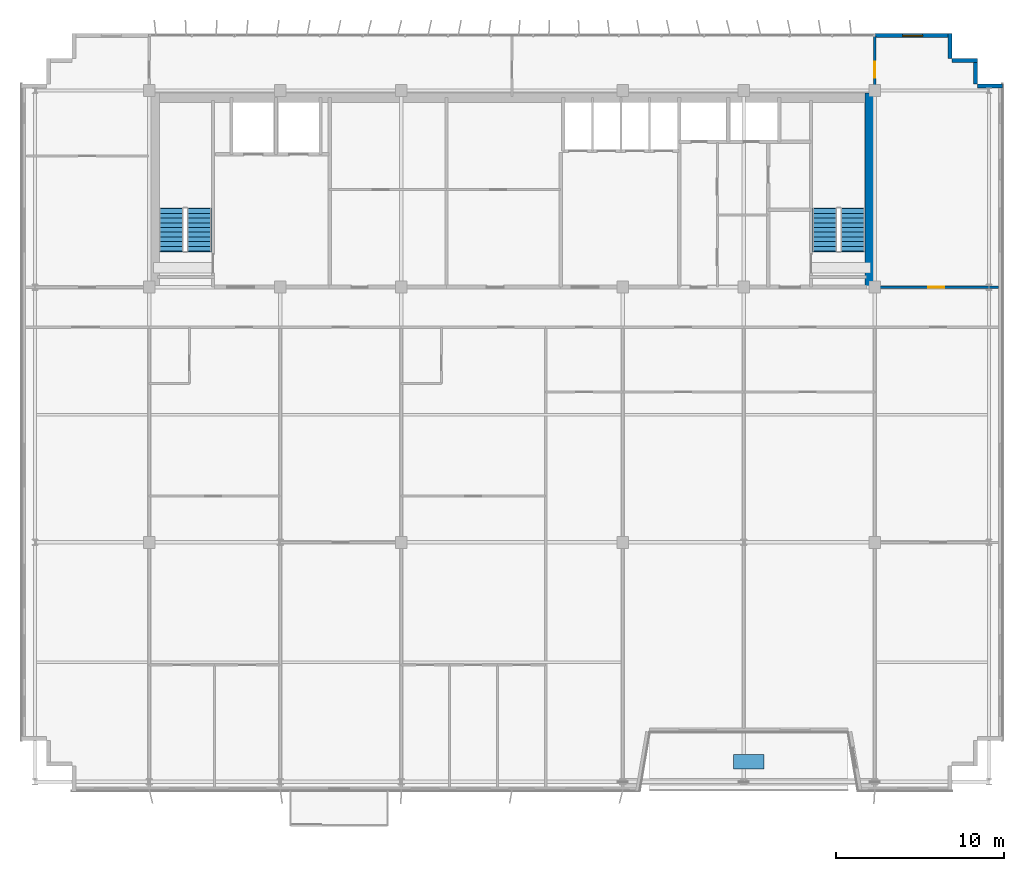
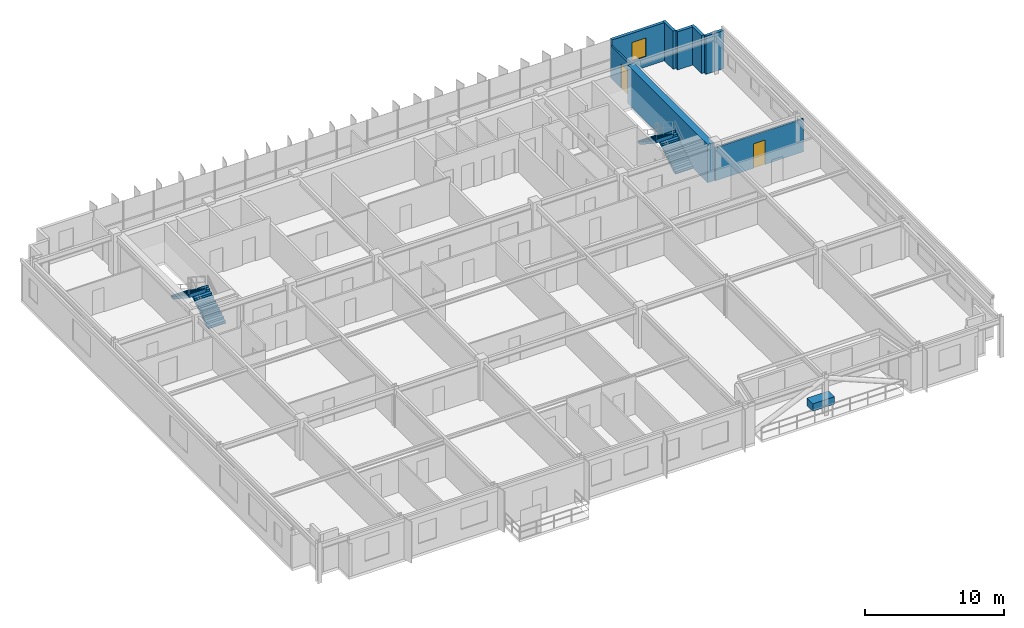
# One storey, part 21 of 23: 8 walls, 4 stair flights, 2 doors, 1 discrete accessory, 1 window, 3 openings, 2 elements without a shape of their own.
"""IFC4 building model written with IfcOpenShell, lengths in metres."""

from ifc_helpers import new_model, si_unit, direction, frame, frame_2d, origin, origin_2d, place, context, subcontext, project, spatial, polyline, rectangle, outline, extrude, source, transform, mapped, material, layer, layer_set, type_object, element, fill, aggregate, save


model = new_model("IFC4")

# Units and contexts
model_context = context("Model", 3, precision=1e-05, world=origin(), true_north=direction((0.0, 1.0)))
body_context = subcontext(model_context, "Body", "Model", "MODEL_VIEW")
ifc_project = project(units=[si_unit("LENGTHUNIT", "METRE"), si_unit("AREAUNIT", "SQUARE_METRE"), si_unit("VOLUMEUNIT", "CUBIC_METRE"), si_unit("PLANEANGLEUNIT", "RADIAN"), si_unit("MASSUNIT", "GRAM", prefix="KILO")], contexts=[model_context])

# Site, building, storey
site_placement = place(None, origin())
site = spatial("IfcSite", under=ifc_project, at=site_placement, CompositionType="ELEMENT")
building_placement = place(site_placement, origin())
building = spatial("IfcBuilding", under=site, at=building_placement, Name="Trelvane Seafront Commons", CompositionType="ELEMENT")
storey_placement = place(building_placement, frame((0.0, 0.0, 230.10009765625)))
storey = spatial("IfcBuildingStorey", under=building, at=storey_placement, Name="L60", CompositionType="ELEMENT", Elevation=230.10009765625)

# Wall, opening, window
ifc_material_1 = material(Name="Precast concrete C40/50", Category="concrete")
ifc_layer_1 = layer(ifc_material_1, 0.239990234375, Name="ARCH-WALL-EXT240")
ifc_layer_set_1 = layer_set([ifc_layer_1], Name="Precast concrete C40/50")
wall_type_1 = type_object("IfcWallType", Name="ARCH-WALL-EXT240", PredefinedType="SOLIDWALL", material=ifc_layer_set_1)
wall_1_placement = place(storey_placement, frame((58.800048828125, 48.3701171875, 0.0), z_axis=(0.0, 0.0, 1.0), x_axis=(1.0, 0.0, 0.0)))
wall_1 = element("IfcWall", 1, at=wall_1_placement, inside=storey, type_object=wall_type_1, Name="EW-L60-NE-1205", PredefinedType="SOLIDWALL", context=body_context, shape_type="SweptSolid", body=[
    extrude(rectangle(XDim=4.5, YDim=0.239990234375, at=frame_2d((2.25, 0.0))), origin(), (0.0, 0.0, 1.0), 3.35986328125),
])
opening_1_placement = place(wall_1_placement, frame((1.64990234375, 0.0, 0.89990234375)))
opening_1 = element("IfcOpeningElement", 2, at=opening_1_placement, cuts=wall_1, Name="Opening W05", PredefinedType="OPENING", context=body_context, shape_type="SweptSolid", body=[
    extrude(rectangle(XDim=1.199951171875, YDim=1.64990234375, at=frame_2d((0.60009765625, 0.824951171875))), frame((0.0, 0.1298828125, 0.0), z_axis=(0.0, -1.0, 0.0), x_axis=(1.0, 0.0, 0.0)), (0.0, 0.0, 1.0), 0.260009765625),
])
ifc_material_2 = material(Name="Low-E coastal double glazing", Category="glass")
window_type = type_object("IfcWindowType", Name="ARCH-WIN-W05", PartitioningType="SINGLE_PANEL", PredefinedType="WINDOW", material=ifc_material_2)
shared_shape_1 = source(origin(), body_context, "Body", "SweptSolid", [
    extrude(rectangle(XDim=1.199951171875, YDim=1.64990234375, at=frame_2d((0.60009765625, 0.824951171875))), frame((0.0, 0.030029296875, 0.0), z_axis=(0.0, -1.0, 0.0), x_axis=(1.0, 0.0, 0.0)), (0.0, 0.0, 1.0), 0.06005859375),
])
window_placement = place(opening_1_placement, origin())
window = element("IfcWindow", 3, at=window_placement, inside=storey, type_object=window_type, Name="WIN-L60-01464", OverallHeight=1.64990234375, OverallWidth=1.199951171875, PartitioningType="SINGLE_PANEL", PredefinedType="WINDOW", context=body_context, shape_type="MappedRepresentation", body=[
    mapped(shared_shape_1, transform((0.0, 0.0, 0.0), x_axis=(1.0, 0.0, 0.0), y_axis=(0.0, 1.0, 0.0), z_axis=(0.0, 0.0, 1.0), scale=1.0)),
])
fill(opening_1, window)

# Walls
for number, where, z_axis, x_axis, name in (
    (4, (63.280029296875, 48.5, 0.0), (0.0, 0.0, 1.0), (0.0, -1.0, 0.0), "EW-L60-01214"),
    (5, (63.39990234375, 46.8798828125, 0.0), (0.0, 0.0, 1.0), (1.0, 0.0, 0.0), "EW-L60-01215"),
    (6, (64.780029296875, 47.0, 0.0), (0.0, 0.0, 1.0), (0.0, -1.0, 0.0), "EW-L60-01216"),
    (7, (64.89990234375, 45.3798828125, 0.0), (0.0, 0.0, 1.0), (1.0, 0.0, 0.0), "EW-L60-01217"),
):
    element("IfcWall", number, at=place(storey_placement, frame(where, z_axis=z_axis, x_axis=x_axis)), inside=storey, type_object=wall_type_1, Name=name, PredefinedType="SOLIDWALL", context=body_context, shape_type="SweptSolid", body=[
        extrude(rectangle(XDim=1.5, YDim=0.239990234375, at=frame_2d((0.75, 0.0))), origin(), (0.0, 0.0, 1.0), 3.35986328125),
    ])

# Wall, opening, door
ifc_material_3 = material(Name="Gypsum Drywall Acoustic Partition")
ifc_layer_2 = layer(ifc_material_3, 0.14990234375, Name="ARCH-WALL-PART150")
ifc_layer_set_2 = layer_set([ifc_layer_2], Name="Gypsum Drywall Acoustic Partition")
wall_type_2 = type_object("IfcWallType", Name="ARCH-WALL-PART150", PredefinedType="PARTITIONING", material=ifc_layer_set_2)
wall_2_placement = place(storey_placement, frame((58.800048828125, 33.39990234375, 0.0), z_axis=(0.0, 0.0, 1.0), x_axis=(1.0, 0.0, 0.0)))
wall_2 = element("IfcWall", 8, at=wall_2_placement, inside=storey, type_object=wall_type_2, Name="W-L60-NE-ENT-037", PredefinedType="PARTITIONING", context=body_context, shape_type="SweptSolid", body=[
    extrude(rectangle(XDim=7.349853515625, YDim=0.14990234375, at=frame_2d((3.6748046875, 0.0))), origin(), (0.0, 0.0, 1.0), 2.909912109375),
])
opening_2_placement = place(wall_2_placement, frame((3.19189453125, 0.0, 0.0)))
opening_2 = element("IfcOpeningElement", 9, at=opening_2_placement, cuts=wall_2, Name="Opening FD-L60-24", PredefinedType="OPENING", context=body_context, shape_type="SweptSolid", body=[
    extrude(rectangle(XDim=0.949951171875, YDim=2.14990234375, at=frame_2d((0.47509765625, 1.074951171875))), frame((0.0, 0.0849609375, 0.0), z_axis=(0.0, -1.0, 0.0), x_axis=(1.0, 0.0, 0.0)), (0.0, 0.0, 1.0), 0.169921875),
])
ifc_material_4 = material(Name="Powder-coated aluminium frame", Category="aluminium")
door_type = type_object("IfcDoorType", Name="ARCH-DR-FD60-950", OperationType="NOTDEFINED", PredefinedType="DOOR", material=ifc_material_4)
shared_shape_2 = source(origin(), body_context, "Body", "SweptSolid", [
    extrude(rectangle(XDim=0.949951171875, YDim=2.14990234375, at=frame_2d((0.47509765625, 1.074951171875))), frame((0.0, 0.02490234375, 0.0), z_axis=(0.0, -1.0, 0.0), x_axis=(1.0, 0.0, 0.0)), (0.0, 0.0, 1.0), 0.050048828125),
])
door_1_placement = place(opening_2_placement, origin())
door_1 = element("IfcDoor", 10, at=door_1_placement, inside=storey, type_object=door_type, Name="L60 NE Suite Entrance Door", OperationType="SINGLE_SWING_RIGHT", OverallHeight=2.14990234375, OverallWidth=0.949951171875, PredefinedType="DOOR", context=body_context, shape_type="MappedRepresentation", body=[
    mapped(shared_shape_2, transform((0.0, 0.0, 0.0), x_axis=(1.0, 0.0, 0.0), y_axis=(0.0, 1.0, 0.0), z_axis=(0.0, 0.0, 1.0), scale=1.0)),
])
fill(opening_2, door_1)

wall_3_placement = place(storey_placement, frame((58.800048828125, 44.75, 0.0), z_axis=(0.0, 0.0, 1.0), x_axis=(0.0, 1.0, 0.0)))
wall_3 = element("IfcWall", 11, at=wall_3_placement, inside=storey, type_object=wall_type_2, Name="W-L60-N-LINK-E-040", PredefinedType="PARTITIONING", context=body_context, shape_type="SweptSolid", body=[
    extrude(rectangle(XDim=3.610107421875, YDim=0.14990234375, at=frame_2d((1.80517578125, 0.0))), origin(), (0.0, 0.0, 1.0), 2.85986328125),
])
opening_3_placement = place(wall_3_placement, frame((1.10009765625, 0.0, 0.0)))
opening_3 = element("IfcOpeningElement", 12, at=opening_3_placement, cuts=wall_3, Name="Opening FD-L60-27", PredefinedType="OPENING", context=body_context, shape_type="SweptSolid", body=[
    extrude(rectangle(XDim=0.949951171875, YDim=2.14990234375, at=frame_2d((0.47509765625, 1.074951171875))), frame((0.0, 0.0849609375, 0.0), z_axis=(0.0, -1.0, 0.0), x_axis=(1.0, 0.0, 0.0)), (0.0, 0.0, 1.0), 0.169921875),
])
door_2_placement = place(opening_3_placement, origin())
door_2 = element("IfcDoor", 13, at=door_2_placement, inside=storey, type_object=door_type, Name="L60 Door 27", OperationType="SINGLE_SWING_LEFT", OverallHeight=2.14990234375, OverallWidth=0.949951171875, PredefinedType="DOOR", context=body_context, shape_type="MappedRepresentation", body=[
    mapped(shared_shape_2, transform((0.0, 0.0, 0.0), x_axis=(1.0, 0.0, 0.0), y_axis=(0.0, 1.0, 0.0), z_axis=(0.0, 0.0, 1.0), scale=1.0)),
])
fill(opening_3, door_2)

# Wall
ifc_material_5 = material(Name="Concrete C50/60", Category="concrete")
ifc_layer_3 = layer(ifc_material_5, 0.550048828125, Name="STR-WALL-CORE550")
ifc_layer_set_3 = layer_set([ifc_layer_3], Name="Concrete C50/60")
wall_type_3 = type_object("IfcWallType", Name="STR-WALL-CORE550", PredefinedType="SHEAR", material=ifc_layer_set_3)
wall_4_placement = place(storey_placement, frame((58.47509765625, 33.39990234375, 0.0), z_axis=(0.0, 0.0, 1.0), x_axis=(0.0, 1.0, 0.0)))
element("IfcWall", 14, at=wall_4_placement, inside=storey, type_object=wall_type_3, Name="W-L60-CE-END-003", PredefinedType="SHEAR", context=body_context, shape_type="SweptSolid", body=[
    extrude(rectangle(XDim=11.550048828125, YDim=0.550048828125, at=frame_2d((5.77490234375, 0.0))), origin(), (0.0, 0.0, 1.0), 3.35986328125),
])

# Stair, stair flights
ifc_material_6 = material(Name="Concrete C40/50", Category="concrete")
stair_type_1 = type_object("IfcStairType", Name="ARCH-STR-ST-1-R20-180", PredefinedType="HALF_TURN_STAIR", material=ifc_material_6)
stair_1_placement = place(storey_placement, origin())
stair_1 = element("IfcStair", 15, at=stair_1_placement, inside=storey, type_object=stair_type_1, Name="L60 West Protected Firefighting Exit Stair ST-1", PredefinedType="HALF_TURN_STAIR")
stair_flight_type_1 = type_object("IfcStairFlightType", Name="ARCH-FLG-ST-1-R20-180", PredefinedType="STRAIGHT", material=ifc_material_6)
shared_shape_3 = source(origin(), body_context, "Body", "SweptSolid", [
    extrude(outline(polyline([(-0.050048828125, -0.02001953125), (-0.050048828125, 0.0), (0.0, 0.0), (0.0, 0.179931640625), (0.280029296875, 0.179931640625), (0.280029296875, 0.360107421875), (0.56005859375, 0.360107421875), (0.56005859375, 0.5400390625), (0.840087890625, 0.5400390625), (0.840087890625, 0.719970703125), (1.1201171875, 0.719970703125), (1.1201171875, 0.89990234375), (1.39990234375, 0.89990234375), (1.39990234375, 1.080078125), (1.679931640625, 1.080078125), (1.679931640625, 1.260009765625), (1.9599609375, 1.260009765625), (1.9599609375, 1.43994140625), (2.239990234375, 1.43994140625), (2.239990234375, 1.6201171875), (2.52001953125, 1.6201171875), (2.52001953125, 1.800048828125), (2.570068359375, 1.800048828125), (2.570068359375, 1.650146484375), (2.52001953125, 1.44189453125), (0.277099609375, -0.02001953125), (-0.050048828125, -0.02001953125)])), frame((0.0, 0.72509765625, 0.0), z_axis=(0.0, -1.0, 0.0), x_axis=(1.0, 0.0, 0.0)), (0.0, 0.0, 1.0), 1.449951171875),
])
stair_flight_1_placement = place(storey_placement, frame((18.574951171875, 35.550048828125, 0.0), z_axis=(0.0, 0.0, 1.0), x_axis=(0.0, 1.0, 0.0)))
stair_flight_1 = element("IfcStairFlight", 16, at=stair_flight_1_placement, type_object=stair_flight_type_1, Name="ST-1 flight 1", NumberOfRisers=10, NumberOfTreads=9, PredefinedType="STRAIGHT", RiserHeight=0.18, TreadLength=0.28, context=body_context, shape_type="MappedRepresentation", body=[
    mapped(shared_shape_3, transform((0.0, 0.0, 0.0), x_axis=(1.0, 0.0, 0.0), y_axis=(0.0, 1.0, 0.0), z_axis=(0.0, 0.0, 1.0), scale=1.0)),
])
stair_flight_2_placement = place(storey_placement, frame((16.925048828125, 38.070068359375, 1.7998046875), z_axis=(0.0, 0.0, 1.0), x_axis=(0.0, -1.0, 0.0)))
stair_flight_2 = element("IfcStairFlight", 17, at=stair_flight_2_placement, type_object=stair_flight_type_1, Name="ST-1 flight 2", NumberOfRisers=10, NumberOfTreads=9, PredefinedType="STRAIGHT", RiserHeight=0.18, TreadLength=0.28, context=body_context, shape_type="MappedRepresentation", body=[
    mapped(shared_shape_3, transform((0.0, 0.0, 0.0), x_axis=(1.0, 0.0, 0.0), y_axis=(0.0, 1.0, 0.0), z_axis=(0.0, 0.0, 1.0), scale=1.0)),
])
aggregate(stair_1, [stair_flight_1, stair_flight_2])

stair_type_2 = type_object("IfcStairType", Name="ARCH-STR-ST-2-R20-180", PredefinedType="HALF_TURN_STAIR", material=ifc_material_6)
stair_2_placement = place(storey_placement, origin())
stair_2 = element("IfcStair", 18, at=stair_2_placement, inside=storey, type_object=stair_type_2, Name="L60 East Protected Firefighting Exit Stair ST-2", PredefinedType="HALF_TURN_STAIR")
stair_flight_type_2 = type_object("IfcStairFlightType", Name="ARCH-FLG-ST-2-R20-180", PredefinedType="STRAIGHT", material=ifc_material_6)
stair_flight_3_placement = place(storey_placement, frame((57.47509765625, 35.550048828125, 0.0), z_axis=(0.0, 0.0, 1.0), x_axis=(0.0, 1.0, 0.0)))
stair_flight_3 = element("IfcStairFlight", 19, at=stair_flight_3_placement, type_object=stair_flight_type_2, Name="ST-2 flight 1", NumberOfRisers=10, NumberOfTreads=9, PredefinedType="STRAIGHT", RiserHeight=0.18, TreadLength=0.28, context=body_context, shape_type="MappedRepresentation", body=[
    mapped(shared_shape_3, transform((0.0, 0.0, 0.0), x_axis=(1.0, 0.0, 0.0), y_axis=(0.0, 1.0, 0.0), z_axis=(0.0, 0.0, 1.0), scale=1.0)),
])
stair_flight_4_placement = place(storey_placement, frame((55.824951171875, 38.070068359375, 1.7998046875), z_axis=(0.0, 0.0, 1.0), x_axis=(0.0, -1.0, 0.0)))
stair_flight_4 = element("IfcStairFlight", 20, at=stair_flight_4_placement, type_object=stair_flight_type_2, Name="ST-2 flight 2", NumberOfRisers=10, NumberOfTreads=9, PredefinedType="STRAIGHT", RiserHeight=0.18, TreadLength=0.28, context=body_context, shape_type="MappedRepresentation", body=[
    mapped(shared_shape_3, transform((0.0, 0.0, 0.0), x_axis=(1.0, 0.0, 0.0), y_axis=(0.0, 1.0, 0.0), z_axis=(0.0, 0.0, 1.0), scale=1.0)),
])
aggregate(stair_2, [stair_flight_3, stair_flight_4])

# Discrete accessory
discrete_accessory_type = type_object("IfcDiscreteAccessoryType", Name="ARCH-ACC-PLANTER", PredefinedType="USERDEFINED", material=ifc_material_1)
shared_shape_4 = source(origin(), body_context, "Body", "SweptSolid", [
    extrude(rectangle(XDim=1.800048828125, YDim=0.85009765625, at=origin_2d()), origin(), (0.0, 0.0, 1.0), 0.64990234375),
])
discrete_accessory_placement = place(storey_placement, frame((51.300048828125, 5.14990234375, 0.0), z_axis=(0.0, 0.0, 1.0), x_axis=(1.0, 0.0, 0.0)))
element("IfcDiscreteAccessory", 21, at=discrete_accessory_placement, inside=storey, type_object=discrete_accessory_type, Name="PLN-L60-TR0-065", ObjectType="BALCONY TREE PLANTER", PredefinedType="USERDEFINED", context=body_context, shape_type="MappedRepresentation", body=[
    mapped(shared_shape_4, transform((0.0, 0.0, 0.0), x_axis=(1.0, 0.0, 0.0), y_axis=(0.0, 1.0, 0.0), z_axis=(0.0, 0.0, 1.0), scale=1.0)),
])

save(model, "model.ifc")
